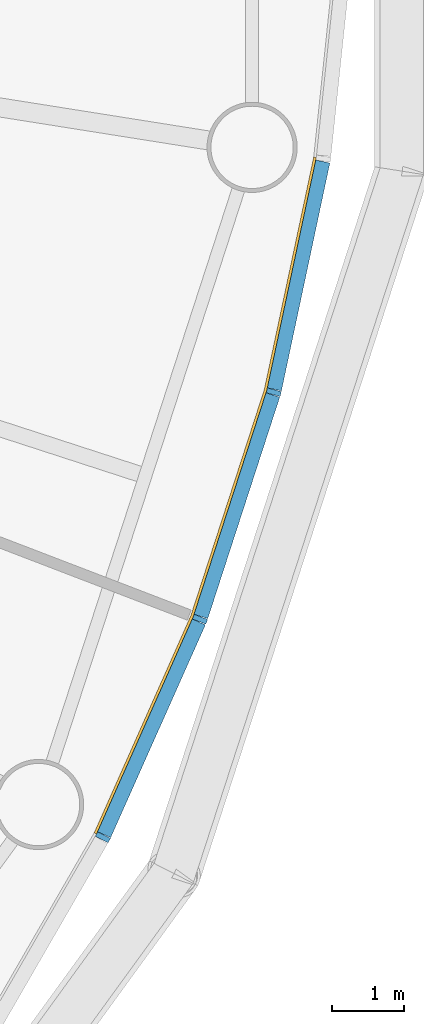
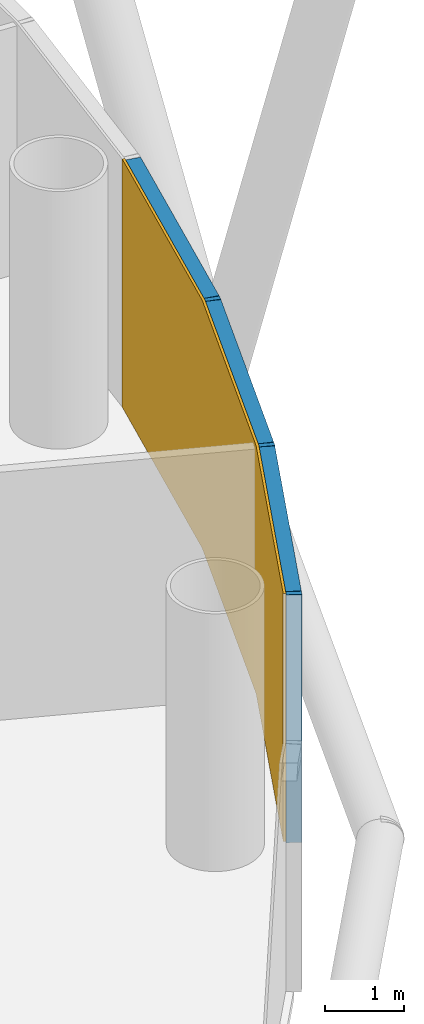
# One storey, part 9 of 13: 6 members, 1 curtain wall.
"""IFC4 building model written with IfcOpenShell, lengths in metres."""

from ifc_helpers import new_model, si_unit, direction, frame, origin, origin_2d, place, context, subcontext, project, spatial, polyline, rectangle, outline, extrude, material, layer, layer_set, material_profile, profile_set, type_object, element, aggregate, save


model = new_model("IFC4")

# Units and contexts
model_context = context("Model", 3, precision=1e-05, world=origin(), true_north=direction((0.0, 1.0)))
body_context = subcontext(model_context, "Body", "Model", "MODEL_VIEW")
ifc_project = project(units=[si_unit("LENGTHUNIT", "METRE"), si_unit("AREAUNIT", "SQUARE_METRE"), si_unit("VOLUMEUNIT", "CUBIC_METRE"), si_unit("PLANEANGLEUNIT", "RADIAN"), si_unit("MASSUNIT", "GRAM", prefix="KILO")], contexts=[model_context])

# Member
ifc_material_1 = material(Name="Anodised aluminium", Category="aluminium")
ifc_material_profile_1 = material_profile(ifc_material_1, rectangle(XDim=0.070068359375, YDim=0.199951171875, at=origin_2d()), Name="Mullion 70 x 200 mm anodised aluminium")
ifc_profile_set_1 = profile_set([ifc_material_profile_1], Name="Anodised aluminium")
member_type_1 = type_object("IfcMemberType", Name="Mullion 70 x 200 mm anodised aluminium", PredefinedType="MULLION", material=ifc_profile_set_1)
site_placement = place(None, origin())
building_placement = place(site_placement, origin())
storey_placement = place(building_placement, frame((0.0, 0.0, 116.0)))
member_1_placement = place(storey_placement, frame((118.15576171875, 65.65380859375, 0.0), z_axis=(0.0, 0.0, 1.0), x_axis=(0.45399049974, 0.891006524188, 0.0)))
member_1 = element("IfcMember", 1, at=member_1_placement, type_object=member_type_1, Name="MULLION L26-54", PredefinedType="MULLION", context=body_context, shape_type="SweptSolid", body=[
    extrude(rectangle(XDim=0.070068359375, YDim=0.199951171875, at=origin_2d()), origin(), (0.0, 0.0, 1.0), 3.85009765625),
])

member_2_placement = place(storey_placement, frame((119.501220703125, 68.675537109375, 0.0), z_axis=(0.0, 0.0, 1.0), x_axis=(0.358367949545, 0.933580426497, 0.0)))
member_2 = element("IfcMember", 2, at=member_2_placement, type_object=member_type_1, Name="MULLION L26-55", PredefinedType="MULLION", context=body_context, shape_type="SweptSolid", body=[
    extrude(rectangle(XDim=0.070068359375, YDim=0.199951171875, at=origin_2d()), origin(), (0.0, 0.0, 1.0), 3.85009765625),
])

member_3_placement = place(storey_placement, frame((120.523193359375, 71.8212890625, 0.0), z_axis=(0.0, 0.0, 1.0), x_axis=(0.258819045103, 0.965925826289, 0.0)))
member_3 = element("IfcMember", 3, at=member_3_placement, type_object=member_type_1, Name="MULLION L26-56", PredefinedType="MULLION", context=body_context, shape_type="SweptSolid", body=[
    extrude(rectangle(XDim=0.070068359375, YDim=0.199951171875, at=origin_2d()), origin(), (0.0, 0.0, 1.0), 3.85009765625),
])

ifc_material_2 = material(Name="Anodised aluminium", Category="aluminium")
ifc_material_profile_2 = material_profile(ifc_material_2, rectangle(XDim=0.199951171875, YDim=0.18994140625, at=origin_2d()), Name="Transom 190 x 200 mm anodised aluminium")
ifc_profile_set_2 = profile_set([ifc_material_profile_2], Name="Anodised aluminium")
member_type_2 = type_object("IfcMemberType", Name="Transom 190 x 200 mm anodised aluminium", PredefinedType="USERDEFINED", material=ifc_profile_set_2)
member_4_placement = place(storey_placement, frame((118.17236328125, 65.690673828125, 3.7548828125), z_axis=(0.406728032322, 0.913549291349, 0.0), x_axis=(-0.913549291349, 0.406728032322, 0.0)))
member_4 = element("IfcMember", 4, at=member_4_placement, type_object=member_type_2, Name="TRANSOM L26-54", ObjectType="TRANSOM", PredefinedType="USERDEFINED", context=body_context, shape_type="SweptSolid", body=[
    extrude(rectangle(XDim=0.199951171875, YDim=0.18994140625, at=origin_2d()), origin(), (0.0, 0.0, 1.0), 3.22705078125),
])

member_5_placement = place(storey_placement, frame((119.513671875, 68.7138671875, 3.7548828125), z_axis=(0.309046726844, 0.951046855117, 0.0), x_axis=(-0.951046855117, 0.309046726844, 0.0)))
member_5 = element("IfcMember", 5, at=member_5_placement, type_object=member_type_2, Name="TRANSOM L26-55", ObjectType="TRANSOM", PredefinedType="USERDEFINED", context=body_context, shape_type="SweptSolid", body=[
    extrude(rectangle(XDim=0.199951171875, YDim=0.18994140625, at=origin_2d()), origin(), (0.0, 0.0, 1.0), 3.22705078125),
])

member_6_placement = place(storey_placement, frame((120.53173828125, 71.860595703125, 3.7548828125), z_axis=(0.207885898771, 0.978153082647, 0.0), x_axis=(-0.978153082647, 0.207885898771, 0.0)))
member_6 = element("IfcMember", 6, at=member_6_placement, type_object=member_type_2, Name="TRANSOM L26-56", ObjectType="TRANSOM", PredefinedType="USERDEFINED", context=body_context, shape_type="SweptSolid", body=[
    extrude(rectangle(XDim=0.199951171875, YDim=0.18994140625, at=origin_2d()), origin(), (0.0, 0.0, 1.0), 3.227294921875),
])

# Site, building, storey
site = spatial("IfcSite", under=ifc_project, at=site_placement, CompositionType="ELEMENT")
building = spatial("IfcBuilding", under=site, at=building_placement, Name="Entoto Ring Tower", CompositionType="ELEMENT")
storey = spatial("IfcBuildingStorey", under=building, at=storey_placement, Name="L26", CompositionType="ELEMENT", Elevation=116.0)

# Curtain wall
ifc_material_3 = material(Name="Clear low-iron glass", Category="glass")
ifc_layer = layer(ifc_material_3, 0.035888671875)
ifc_layer_set = layer_set([ifc_layer], Name="Clear low-iron glass")
curtain_wall_type = type_object("IfcCurtainWallType", Name="Curtain wall system CW2 glazing 36 mm", PredefinedType="NOTDEFINED", material=ifc_layer_set)
curtain_wall_placement = place(storey_placement, origin())
curtain_wall = element("IfcCurtainWall", 7, at=curtain_wall_placement, inside=storey, type_object=curtain_wall_type, Name="CW2 L26-19", PredefinedType="NOTDEFINED", context=body_context, shape_type="SweptSolid", body=[
    extrude(outline(polyline([(118.066650390625, 65.69921875), (119.40771484375, 68.71142578125), (120.4267578125, 71.84716796875), (121.1123046875, 75.072265625), (121.07666015625, 75.077880859375), (120.391845703125, 71.8564453125), (119.3740234375, 68.724365234375), (118.03466796875, 65.715576171875), (118.066650390625, 65.69921875)])), origin(), (0.0, 0.0, 1.0), 3.85009765625),
])

aggregate(curtain_wall, [member_1, member_2, member_3, member_4, member_5, member_6])

save(model, "model.ifc")
